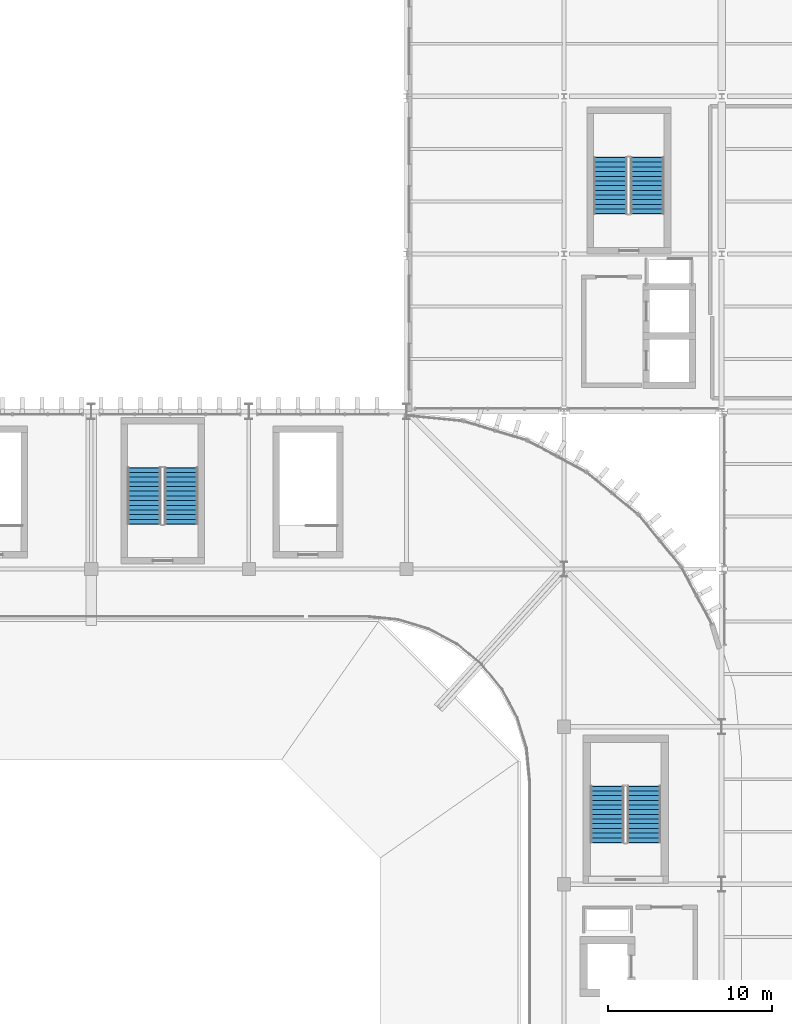
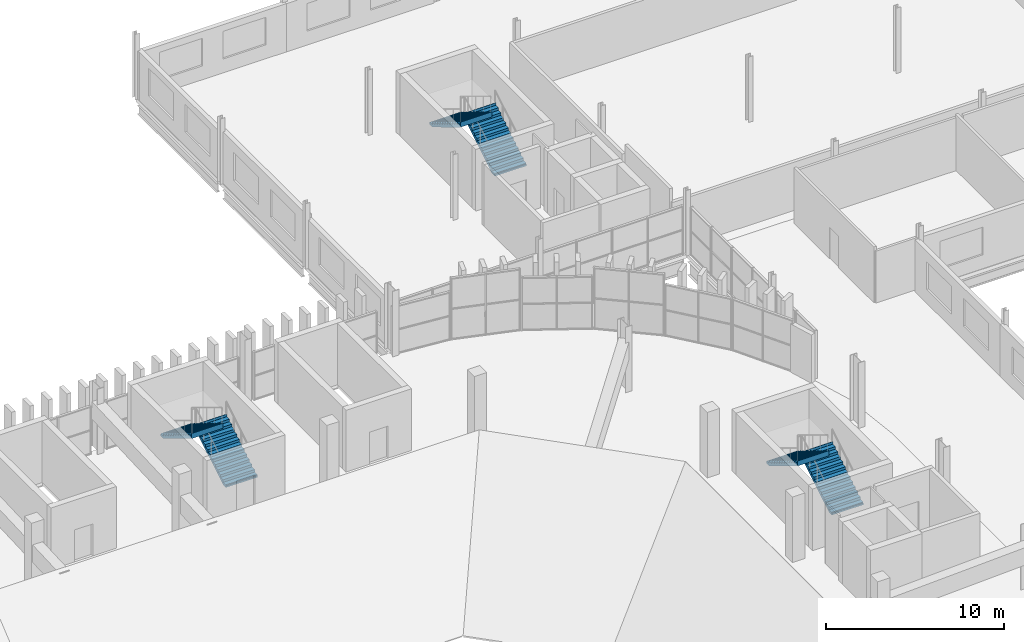
# One storey, part 49 of 69: 6 stair flights, 3 elements without a shape of their own.
"""IFC4 building model written with IfcOpenShell, lengths in metres."""

from ifc_helpers import new_model, si_unit, direction, frame, origin, place, context, subcontext, project, spatial, polyline, outline, extrude, material, type_object, element, aggregate, save


model = new_model("IFC4")

# Units and contexts
model_context = context("Model", 3, precision=1e-05, world=origin(), true_north=direction((0.0, 1.0)))
body_context = subcontext(model_context, "Body", "Model", "MODEL_VIEW")
ifc_project = project(units=[si_unit("LENGTHUNIT", "METRE"), si_unit("AREAUNIT", "SQUARE_METRE"), si_unit("VOLUMEUNIT", "CUBIC_METRE"), si_unit("PLANEANGLEUNIT", "RADIAN"), si_unit("MASSUNIT", "GRAM", prefix="KILO")], contexts=[model_context])

# Site, building, storey
site_placement = place(None, origin())
site = spatial("IfcSite", under=ifc_project, at=site_placement, CompositionType="ELEMENT")
building_placement = place(site_placement, origin())
building = spatial("IfcBuilding", under=site, at=building_placement, Name="Caelomonte Colonnade Arena", CompositionType="ELEMENT")
storey_placement = place(building_placement, frame((0.0, 0.0, 18.60009765625)))
storey = spatial("IfcBuildingStorey", under=building, at=storey_placement, Name="L04", CompositionType="ELEMENT", Elevation=18.60009765625)

# Stair, stair flights
ifc_material = material(Name="Concrete C40/50", Category="concrete")
stair_type_1 = type_object("IfcStairType", Name="INT-ST-CORE45", PredefinedType="HALF_TURN_STAIR", material=ifc_material)
stair_1_placement = place(storey_placement, origin())
stair_1 = element("IfcStair", 1, at=stair_1_placement, inside=storey, type_object=stair_type_1, Name="L04 Protected exit stair ST-16", PredefinedType="HALF_TURN_STAIR")
stair_flight_type_1 = type_object("IfcStairFlightType", Name="INT-SF-CORE45", PredefinedType="STRAIGHT", material=ifc_material)
stair_flight_1_placement = place(storey_placement, frame((130.27490234375, 108.35009765625, 0.0), z_axis=(0.0, 0.0, 1.0), x_axis=(0.0, 1.0, 0.0)))
stair_flight_1 = element("IfcStairFlight", 2, at=stair_flight_1_placement, type_object=stair_flight_type_1, Name="ST-16 flight 1", NumberOfRisers=13, NumberOfTreads=12, PredefinedType="STRAIGHT", RiserHeight=0.173076923, TreadLength=0.285, context=body_context, shape_type="SweptSolid", body=[
    extrude(outline(polyline([(-0.02490234375, 0.0), (-0.02490234375, 0.103759765625), (0.0, 0.103759765625), (0.0, 0.173095703125), (0.284912109375, 0.173095703125), (0.284912109375, 0.34619140625), (0.570068359375, 0.34619140625), (0.570068359375, 0.519287109375), (0.85498046875, 0.519287109375), (0.85498046875, 0.6923828125), (1.139892578125, 0.6923828125), (1.139892578125, 0.865478515625), (1.425048828125, 0.865478515625), (1.425048828125, 1.03857421875), (1.7099609375, 1.03857421875), (1.7099609375, 1.21142578125), (1.9951171875, 1.21142578125), (1.9951171875, 1.384521484375), (2.280029296875, 1.384521484375), (2.280029296875, 1.5576171875), (2.56494140625, 1.5576171875), (2.56494140625, 1.730712890625), (2.85009765625, 1.730712890625), (2.85009765625, 1.90380859375), (3.135009765625, 1.90380859375), (3.135009765625, 2.076904296875), (3.419921875, 2.076904296875), (3.419921875, 2.25), (3.445068359375, 2.25), (3.445068359375, 1.901611328125), (0.288818359375, 0.0), (-0.02490234375, 0.0)])), frame((0.0, 1.02490234375, 0.0), z_axis=(0.0, -1.0, 0.0), x_axis=(1.0, 0.0, 0.0)), (0.0, 0.0, 1.0), 2.050048828125),
])
stair_flight_2_placement = place(storey_placement, frame((128.02490234375, 111.77001953125, 2.25), z_axis=(0.0, 0.0, 1.0), x_axis=(0.0, -1.0, 0.0)))
stair_flight_2 = element("IfcStairFlight", 3, at=stair_flight_2_placement, type_object=stair_flight_type_1, Name="ST-16 flight 2", NumberOfRisers=13, NumberOfTreads=12, PredefinedType="STRAIGHT", RiserHeight=0.173076923, TreadLength=0.285, context=body_context, shape_type="SweptSolid", body=[
    extrude(outline(polyline([(-0.02490234375, 0.0), (-0.02490234375, 0.103759765625), (0.0, 0.103759765625), (0.0, 0.173095703125), (0.284912109375, 0.173095703125), (0.284912109375, 0.34619140625), (0.570068359375, 0.34619140625), (0.570068359375, 0.519287109375), (0.85498046875, 0.519287109375), (0.85498046875, 0.6923828125), (1.139892578125, 0.6923828125), (1.139892578125, 0.865478515625), (1.425048828125, 0.865478515625), (1.425048828125, 1.03857421875), (1.7099609375, 1.03857421875), (1.7099609375, 1.21142578125), (1.9951171875, 1.21142578125), (1.9951171875, 1.384521484375), (2.280029296875, 1.384521484375), (2.280029296875, 1.5576171875), (2.56494140625, 1.5576171875), (2.56494140625, 1.730712890625), (2.85009765625, 1.730712890625), (2.85009765625, 1.90380859375), (3.135009765625, 1.90380859375), (3.135009765625, 2.076904296875), (3.419921875, 2.076904296875), (3.419921875, 2.25), (3.445068359375, 2.25), (3.445068359375, 1.901611328125), (0.288818359375, 0.0), (-0.02490234375, 0.0)])), frame((0.0, 1.02490234375, 0.0), z_axis=(0.0, -1.0, 0.0), x_axis=(1.0, 0.0, 0.0)), (0.0, 0.0, 1.0), 2.050048828125),
])
aggregate(stair_1, [stair_flight_1, stair_flight_2])

stair_type_2 = type_object("IfcStairType", Name="INT-ST-WING45", PredefinedType="HALF_TURN_STAIR", material=ifc_material)
stair_2_placement = place(storey_placement, origin())
stair_2 = element("IfcStair", 4, at=stair_2_placement, inside=storey, type_object=stair_type_2, Name="L04 Core C3 exit stair ST-03", PredefinedType="HALF_TURN_STAIR")
stair_flight_type_2 = type_object("IfcStairFlightType", Name="INT-SF-WING45", PredefinedType="STRAIGHT", material=ifc_material)
stair_flight_3_placement = place(storey_placement, frame((158.47509765625, 88.949951171875, 0.0), z_axis=(0.0, 0.0, 1.0), x_axis=(0.0, 1.0, 0.0)))
stair_flight_3 = element("IfcStairFlight", 5, at=stair_flight_3_placement, type_object=stair_flight_type_2, Name="ST-03 flight 1", NumberOfRisers=13, NumberOfTreads=12, PredefinedType="STRAIGHT", RiserHeight=0.173076923, TreadLength=0.285, context=body_context, shape_type="SweptSolid", body=[
    extrude(outline(polyline([(-0.02490234375, 0.0), (-0.02490234375, 0.103759765625), (0.0, 0.103759765625), (0.0, 0.173095703125), (0.284912109375, 0.173095703125), (0.284912109375, 0.34619140625), (0.570068359375, 0.34619140625), (0.570068359375, 0.519287109375), (0.85498046875, 0.519287109375), (0.85498046875, 0.6923828125), (1.139892578125, 0.6923828125), (1.139892578125, 0.865478515625), (1.425048828125, 0.865478515625), (1.425048828125, 1.03857421875), (1.7099609375, 1.03857421875), (1.7099609375, 1.21142578125), (1.9951171875, 1.21142578125), (1.9951171875, 1.384521484375), (2.280029296875, 1.384521484375), (2.280029296875, 1.5576171875), (2.56494140625, 1.5576171875), (2.56494140625, 1.730712890625), (2.85009765625, 1.730712890625), (2.85009765625, 1.90380859375), (3.135009765625, 1.90380859375), (3.135009765625, 2.076904296875), (3.419921875, 2.076904296875), (3.419921875, 2.25), (3.445068359375, 2.25), (3.445068359375, 1.901611328125), (0.288818359375, 0.0), (-0.02490234375, 0.0)])), frame((0.0, 1.02490234375, 0.0), z_axis=(0.0, -1.0, 0.0), x_axis=(1.0, 0.0, 0.0)), (0.0, 0.0, 1.0), 2.050048828125),
])
stair_flight_4_placement = place(storey_placement, frame((156.22509765625, 92.3701171875, 2.25), z_axis=(0.0, 0.0, 1.0), x_axis=(0.0, -1.0, 0.0)))
stair_flight_4 = element("IfcStairFlight", 6, at=stair_flight_4_placement, type_object=stair_flight_type_2, Name="ST-03 flight 2", NumberOfRisers=13, NumberOfTreads=12, PredefinedType="STRAIGHT", RiserHeight=0.173076923, TreadLength=0.285, context=body_context, shape_type="SweptSolid", body=[
    extrude(outline(polyline([(-0.02490234375, 0.0), (-0.02490234375, 0.103759765625), (0.0, 0.103759765625), (0.0, 0.173095703125), (0.284912109375, 0.173095703125), (0.284912109375, 0.34619140625), (0.570068359375, 0.34619140625), (0.570068359375, 0.519287109375), (0.85498046875, 0.519287109375), (0.85498046875, 0.6923828125), (1.139892578125, 0.6923828125), (1.139892578125, 0.865478515625), (1.425048828125, 0.865478515625), (1.425048828125, 1.03857421875), (1.7099609375, 1.03857421875), (1.7099609375, 1.21142578125), (1.9951171875, 1.21142578125), (1.9951171875, 1.384521484375), (2.280029296875, 1.384521484375), (2.280029296875, 1.5576171875), (2.56494140625, 1.5576171875), (2.56494140625, 1.730712890625), (2.85009765625, 1.730712890625), (2.85009765625, 1.90380859375), (3.135009765625, 1.90380859375), (3.135009765625, 2.076904296875), (3.419921875, 2.076904296875), (3.419921875, 2.25), (3.445068359375, 2.25), (3.445068359375, 1.901611328125), (0.288818359375, 0.0), (-0.02490234375, 0.0)])), frame((0.0, 1.02490234375, 0.0), z_axis=(0.0, -1.0, 0.0), x_axis=(1.0, 0.0, 0.0)), (0.0, 0.0, 1.0), 2.050048828125),
])
aggregate(stair_2, [stair_flight_3, stair_flight_4])

stair_3_placement = place(storey_placement, origin())
stair_3 = element("IfcStair", 7, at=stair_3_placement, inside=storey, type_object=stair_type_2, Name="L04 Core C6 exit stair ST-06", PredefinedType="HALF_TURN_STAIR")
stair_flight_5_placement = place(storey_placement, frame((158.675048828125, 127.25, 0.0), z_axis=(0.0, 0.0, 1.0), x_axis=(0.0, 1.0, 0.0)))
stair_flight_5 = element("IfcStairFlight", 8, at=stair_flight_5_placement, type_object=stair_flight_type_2, Name="ST-06 flight 1", NumberOfRisers=13, NumberOfTreads=12, PredefinedType="STRAIGHT", RiserHeight=0.173076923, TreadLength=0.285, context=body_context, shape_type="SweptSolid", body=[
    extrude(outline(polyline([(-0.02490234375, 0.0), (-0.02490234375, 0.103759765625), (0.0, 0.103759765625), (0.0, 0.173095703125), (0.284912109375, 0.173095703125), (0.284912109375, 0.34619140625), (0.570068359375, 0.34619140625), (0.570068359375, 0.519287109375), (0.85498046875, 0.519287109375), (0.85498046875, 0.6923828125), (1.139892578125, 0.6923828125), (1.139892578125, 0.865478515625), (1.425048828125, 0.865478515625), (1.425048828125, 1.03857421875), (1.7099609375, 1.03857421875), (1.7099609375, 1.21142578125), (1.9951171875, 1.21142578125), (1.9951171875, 1.384521484375), (2.280029296875, 1.384521484375), (2.280029296875, 1.5576171875), (2.56494140625, 1.5576171875), (2.56494140625, 1.730712890625), (2.85009765625, 1.730712890625), (2.85009765625, 1.90380859375), (3.135009765625, 1.90380859375), (3.135009765625, 2.076904296875), (3.419921875, 2.076904296875), (3.419921875, 2.25), (3.445068359375, 2.25), (3.445068359375, 1.901611328125), (0.288818359375, 0.0), (-0.02490234375, 0.0)])), frame((0.0, 1.02490234375, 0.0), z_axis=(0.0, -1.0, 0.0), x_axis=(1.0, 0.0, 0.0)), (0.0, 0.0, 1.0), 2.050048828125),
])
stair_flight_6_placement = place(storey_placement, frame((156.425048828125, 130.669921875, 2.25), z_axis=(0.0, 0.0, 1.0), x_axis=(0.0, -1.0, 0.0)))
stair_flight_6 = element("IfcStairFlight", 9, at=stair_flight_6_placement, type_object=stair_flight_type_2, Name="ST-06 flight 2", NumberOfRisers=13, NumberOfTreads=12, PredefinedType="STRAIGHT", RiserHeight=0.173076923, TreadLength=0.285, context=body_context, shape_type="SweptSolid", body=[
    extrude(outline(polyline([(-0.02490234375, 0.0), (-0.02490234375, 0.103759765625), (0.0, 0.103759765625), (0.0, 0.173095703125), (0.284912109375, 0.173095703125), (0.284912109375, 0.34619140625), (0.570068359375, 0.34619140625), (0.570068359375, 0.519287109375), (0.85498046875, 0.519287109375), (0.85498046875, 0.6923828125), (1.139892578125, 0.6923828125), (1.139892578125, 0.865478515625), (1.425048828125, 0.865478515625), (1.425048828125, 1.03857421875), (1.7099609375, 1.03857421875), (1.7099609375, 1.21142578125), (1.9951171875, 1.21142578125), (1.9951171875, 1.384521484375), (2.280029296875, 1.384521484375), (2.280029296875, 1.5576171875), (2.56494140625, 1.5576171875), (2.56494140625, 1.730712890625), (2.85009765625, 1.730712890625), (2.85009765625, 1.90380859375), (3.135009765625, 1.90380859375), (3.135009765625, 2.076904296875), (3.419921875, 2.076904296875), (3.419921875, 2.25), (3.445068359375, 2.25), (3.445068359375, 1.901611328125), (0.288818359375, 0.0), (-0.02490234375, 0.0)])), frame((0.0, 1.02490234375, 0.0), z_axis=(0.0, -1.0, 0.0), x_axis=(1.0, 0.0, 0.0)), (0.0, 0.0, 1.0), 2.050048828125),
])
aggregate(stair_3, [stair_flight_5, stair_flight_6])

save(model, "model.ifc")
